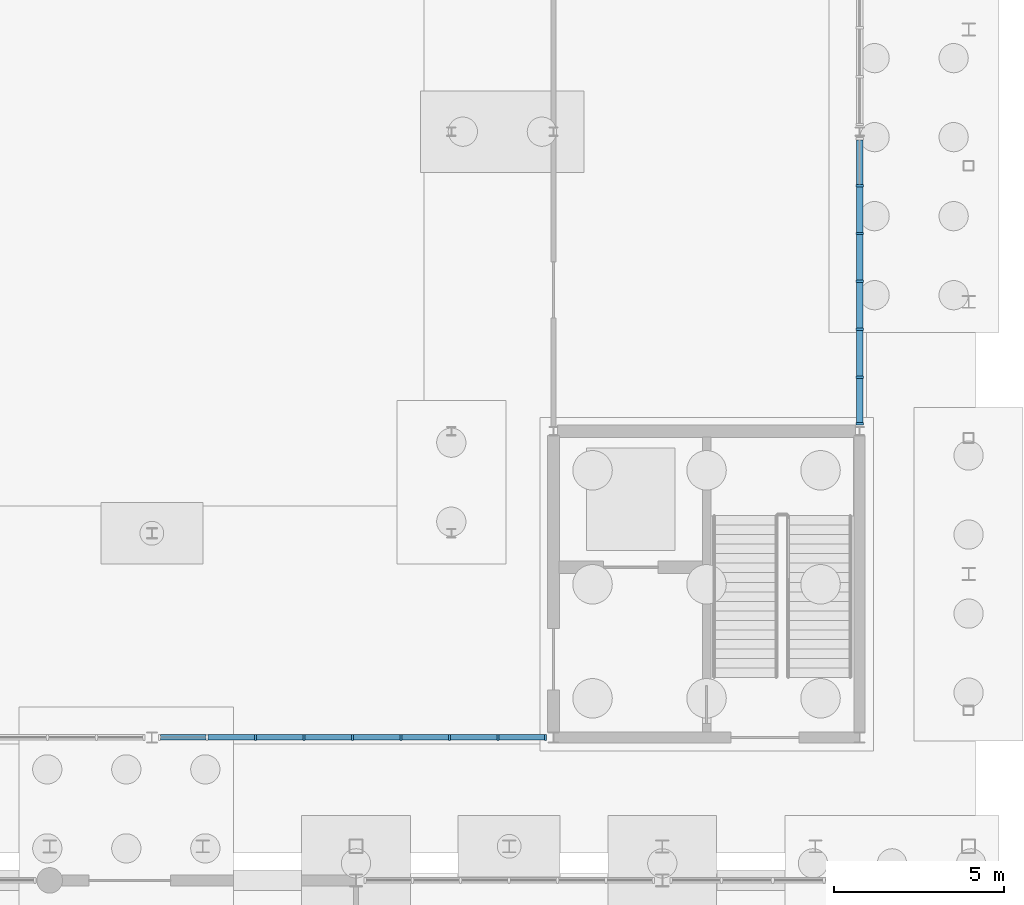
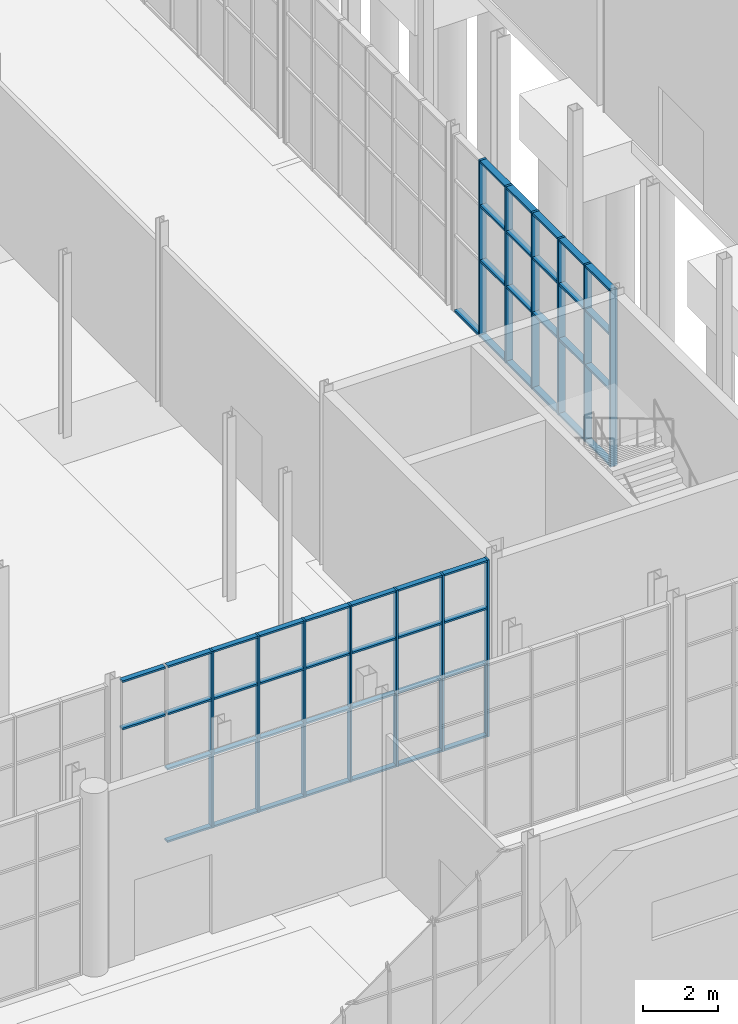
# One storey, part 68 of 131: 64 members, 2 elements without a shape of their own.
"""IFC4 building model written with IfcOpenShell, lengths in metres."""

from ifc_helpers import new_model, si_unit, direction, frame, origin, origin_2d, place, context, subcontext, project, spatial, rectangle, extrude, material, layer, layer_set, material_profile, profile_set, type_object, element, aggregate, save


model = new_model("IFC4")

# Units and contexts
model_context = context("Model", 3, precision=1e-05, world=origin(), true_north=direction((0.0, 1.0)))
body_context = subcontext(model_context, "Body", "Model", "MODEL_VIEW")
ifc_project = project(units=[si_unit("LENGTHUNIT", "METRE"), si_unit("AREAUNIT", "SQUARE_METRE"), si_unit("VOLUMEUNIT", "CUBIC_METRE"), si_unit("PLANEANGLEUNIT", "RADIAN"), si_unit("MASSUNIT", "GRAM", prefix="KILO")], contexts=[model_context])

# Site, building, storey
site_placement = place(None, origin())
site = spatial("IfcSite", under=ifc_project, at=site_placement, CompositionType="ELEMENT")
building_placement = place(site_placement, origin())
building = spatial("IfcBuilding", under=site, at=building_placement, Name="Cazmaro Siding Exhibition Halls", CompositionType="ELEMENT")
storey_placement = place(building_placement, origin())
storey = spatial("IfcBuildingStorey", under=building, at=storey_placement, Name="L00", CompositionType="ELEMENT", Elevation=0.0)

# Curtain wall, members
ifc_material_1 = material(Name="Anodized Bronze Aluminum and Solar-Control Low-E Glazing", Category="aluminium")
ifc_layer_1 = layer(ifc_material_1, 0.179931640625)
ifc_layer_set_1 = layer_set([ifc_layer_1], Name="Anodized Bronze Aluminum and Solar-Control Low-E Glazing")
curtain_wall_type_1 = type_object("IfcCurtainWallType", Name="CWS-01", PredefinedType="USERDEFINED", material=ifc_layer_set_1)
curtain_wall_1_placement = place(storey_placement, origin())
curtain_wall_1 = element("IfcCurtainWall", 1, at=curtain_wall_1_placement, inside=storey, type_object=curtain_wall_type_1, Name="Glazed Curtain Wall CWS-01 CW-043", ObjectType="GLAZED CURTAIN WALL", PredefinedType="USERDEFINED")
ifc_material_2 = material(Name="Anodized Bronze Extruded Aluminum", Category="aluminium")
ifc_material_profile_1 = material_profile(ifc_material_2, rectangle(XDim=0.179931640625, YDim=0.06005859375, at=origin_2d()), Name="CWM-01")
ifc_profile_set_1 = profile_set([ifc_material_profile_1], Name="Anodized Bronze Extruded Aluminum")
member_type_1 = type_object("IfcMemberType", Name="CWM-01", PredefinedType="MULLION", material=ifc_profile_set_1)
member_1_placement = place(storey_placement, frame((150.048583984375, 67.199951171875, 0.0), z_axis=(0.0, 0.0, 1.0), x_axis=(0.0, 1.0, 0.0)))
member_1 = element("IfcMember", 2, at=member_1_placement, type_object=member_type_1, Name="CWS-01 mullion 3", PredefinedType="MULLION", context=body_context, shape_type="SweptSolid", body=[
    extrude(rectangle(XDim=0.179931640625, YDim=0.06005859375, at=origin_2d()), origin(), (0.0, 0.0, 1.0), 5.780029296875),
])
member_2_placement = place(storey_placement, frame((151.474365234375, 67.199951171875, 0.0), z_axis=(0.0, 0.0, 1.0), x_axis=(0.0, 1.0, 0.0)))
member_2 = element("IfcMember", 3, at=member_2_placement, type_object=member_type_1, Name="CWS-01 mullion 4", PredefinedType="MULLION", context=body_context, shape_type="SweptSolid", body=[
    extrude(rectangle(XDim=0.179931640625, YDim=0.06005859375, at=origin_2d()), origin(), (0.0, 0.0, 1.0), 5.780029296875),
])
member_3_placement = place(storey_placement, frame((152.89990234375, 67.199951171875, 0.0), z_axis=(0.0, 0.0, 1.0), x_axis=(0.0, 1.0, 0.0)))
member_3 = element("IfcMember", 4, at=member_3_placement, type_object=member_type_1, Name="CWS-01 mullion 5", PredefinedType="MULLION", context=body_context, shape_type="SweptSolid", body=[
    extrude(rectangle(XDim=0.179931640625, YDim=0.06005859375, at=origin_2d()), origin(), (0.0, 0.0, 1.0), 5.780029296875),
])
member_4_placement = place(storey_placement, frame((154.32568359375, 67.199951171875, 0.0), z_axis=(0.0, 0.0, 1.0), x_axis=(0.0, 1.0, 0.0)))
member_4 = element("IfcMember", 5, at=member_4_placement, type_object=member_type_1, Name="CWS-01 mullion 6", PredefinedType="MULLION", context=body_context, shape_type="SweptSolid", body=[
    extrude(rectangle(XDim=0.179931640625, YDim=0.06005859375, at=origin_2d()), origin(), (0.0, 0.0, 1.0), 5.780029296875),
])
member_5_placement = place(storey_placement, frame((155.75146484375, 67.199951171875, 0.0), z_axis=(0.0, 0.0, 1.0), x_axis=(0.0, 1.0, 0.0)))
member_5 = element("IfcMember", 6, at=member_5_placement, type_object=member_type_1, Name="CWS-01 mullion 7", PredefinedType="MULLION", context=body_context, shape_type="SweptSolid", body=[
    extrude(rectangle(XDim=0.179931640625, YDim=0.06005859375, at=origin_2d()), origin(), (0.0, 0.0, 1.0), 5.780029296875),
])
member_6_placement = place(storey_placement, frame((157.17724609375, 67.199951171875, 0.0), z_axis=(0.0, 0.0, 1.0), x_axis=(0.0, 1.0, 0.0)))
member_6 = element("IfcMember", 7, at=member_6_placement, type_object=member_type_1, Name="CWS-01 mullion 8", PredefinedType="MULLION", context=body_context, shape_type="SweptSolid", body=[
    extrude(rectangle(XDim=0.179931640625, YDim=0.06005859375, at=origin_2d()), origin(), (0.0, 0.0, 1.0), 5.780029296875),
])
member_7_placement = place(storey_placement, frame((158.572998046875, 67.199951171875, 0.0), z_axis=(0.0, 0.0, 1.0), x_axis=(0.0, 1.0, 0.0)))
member_7 = element("IfcMember", 8, at=member_7_placement, type_object=member_type_1, Name="CWS-01 mullion 9", PredefinedType="MULLION", context=body_context, shape_type="SweptSolid", body=[
    extrude(rectangle(XDim=0.179931640625, YDim=0.06005859375, at=origin_2d()), origin(), (0.0, 0.0, 1.0), 5.780029296875),
])

ifc_material_3 = material(Name="Anodized Bronze Aluminum and Solar-Control Low-E Glazing", Category="aluminium")
ifc_layer_2 = layer(ifc_material_3, 0.219970703125)
ifc_layer_set_2 = layer_set([ifc_layer_2], Name="Anodized Bronze Aluminum and Solar-Control Low-E Glazing")
curtain_wall_type_2 = type_object("IfcCurtainWallType", Name="CWS-03", PredefinedType="USERDEFINED", material=ifc_layer_set_2)
curtain_wall_2_placement = place(storey_placement, origin())
curtain_wall_2 = element("IfcCurtainWall", 9, at=curtain_wall_2_placement, inside=storey, type_object=curtain_wall_type_2, Name="Glazed Curtain Wall CWS-03 CW-065", ObjectType="GLAZED CURTAIN WALL", PredefinedType="USERDEFINED")
ifc_material_4 = material(Name="Anodized Bronze Extruded Aluminum", Category="aluminium")
ifc_material_profile_2 = material_profile(ifc_material_4, rectangle(XDim=0.219970703125, YDim=0.070068359375, at=origin_2d()), Name="CWM-03")
ifc_profile_set_2 = profile_set([ifc_material_profile_2], Name="Anodized Bronze Extruded Aluminum")
member_type_2 = type_object("IfcMemberType", Name="CWM-03", PredefinedType="MULLION", material=ifc_profile_set_2)
member_8_placement = place(storey_placement, frame((167.800048828125, 76.412109375, 0.0), z_axis=(0.0, 0.0, 1.0), x_axis=(-1.0, 0.0, 0.0)))
member_8 = element("IfcMember", 10, at=member_8_placement, type_object=member_type_2, Name="CWS-03 mullion 1", PredefinedType="MULLION", context=body_context, shape_type="SweptSolid", body=[
    extrude(rectangle(XDim=0.219970703125, YDim=0.070068359375, at=origin_2d()), origin(), (0.0, 0.0, 1.0), 5.780029296875),
])
member_9_placement = place(storey_placement, frame((167.800048828125, 77.78466796875, 0.0), z_axis=(0.0, 0.0, 1.0), x_axis=(-1.0, 0.0, 0.0)))
member_9 = element("IfcMember", 11, at=member_9_placement, type_object=member_type_2, Name="CWS-03 mullion 2", PredefinedType="MULLION", context=body_context, shape_type="SweptSolid", body=[
    extrude(rectangle(XDim=0.219970703125, YDim=0.070068359375, at=origin_2d()), origin(), (0.0, 0.0, 1.0), 5.780029296875),
])
member_10_placement = place(storey_placement, frame((167.800048828125, 79.1923828125, 0.0), z_axis=(0.0, 0.0, 1.0), x_axis=(-1.0, 0.0, 0.0)))
member_10 = element("IfcMember", 12, at=member_10_placement, type_object=member_type_2, Name="CWS-03 mullion 3", PredefinedType="MULLION", context=body_context, shape_type="SweptSolid", body=[
    extrude(rectangle(XDim=0.219970703125, YDim=0.070068359375, at=origin_2d()), origin(), (0.0, 0.0, 1.0), 5.780029296875),
])
member_11_placement = place(storey_placement, frame((167.800048828125, 80.60009765625, 0.0), z_axis=(0.0, 0.0, 1.0), x_axis=(-1.0, 0.0, 0.0)))
member_11 = element("IfcMember", 13, at=member_11_placement, type_object=member_type_2, Name="CWS-03 mullion 4", PredefinedType="MULLION", context=body_context, shape_type="SweptSolid", body=[
    extrude(rectangle(XDim=0.219970703125, YDim=0.070068359375, at=origin_2d()), origin(), (0.0, 0.0, 1.0), 5.780029296875),
])
member_12_placement = place(storey_placement, frame((167.800048828125, 82.007568359375, 0.0), z_axis=(0.0, 0.0, 1.0), x_axis=(-1.0, 0.0, 0.0)))
member_12 = element("IfcMember", 14, at=member_12_placement, type_object=member_type_2, Name="CWS-03 mullion 5", PredefinedType="MULLION", context=body_context, shape_type="SweptSolid", body=[
    extrude(rectangle(XDim=0.219970703125, YDim=0.070068359375, at=origin_2d()), origin(), (0.0, 0.0, 1.0), 5.780029296875),
])
member_13_placement = place(storey_placement, frame((167.800048828125, 83.415283203125, 0.0), z_axis=(0.0, 0.0, 1.0), x_axis=(-1.0, 0.0, 0.0)))
member_13 = element("IfcMember", 15, at=member_13_placement, type_object=member_type_2, Name="CWS-03 mullion 6", PredefinedType="MULLION", context=body_context, shape_type="SweptSolid", body=[
    extrude(rectangle(XDim=0.219970703125, YDim=0.070068359375, at=origin_2d()), origin(), (0.0, 0.0, 1.0), 5.780029296875),
])

# Member
ifc_material_5 = material(Name="Anodized Bronze Extruded Aluminum", Category="aluminium")
ifc_material_profile_3 = material_profile(ifc_material_5, rectangle(XDim=0.159912109375, YDim=0.06005859375, at=origin_2d()), Name="CWT-01")
ifc_profile_set_3 = profile_set([ifc_material_profile_3], Name="Anodized Bronze Extruded Aluminum")
member_type_3 = type_object("IfcMemberType", Name="CWT-01", PredefinedType="MULLION", material=ifc_profile_set_3)
member_14_placement = place(storey_placement, frame((147.257080078125, 67.199951171875, 4.199951171875), z_axis=(1.0, 0.0, 0.0), x_axis=(0.0, 1.0, 0.0)))
member_14 = element("IfcMember", 16, at=member_14_placement, type_object=member_type_3, Name="CWS-01 transom 1.3", ObjectType="TRANSOM", PredefinedType="USERDEFINED", context=body_context, shape_type="SweptSolid", body=[
    extrude(rectangle(XDim=0.159912109375, YDim=0.06005859375, at=origin_2d()), origin(), (0.0, 0.0, 1.0), 1.335693359375),
])

member_15_placement = place(storey_placement, frame((147.257080078125, 67.199951171875, 5.75), z_axis=(1.0, 0.0, 0.0), x_axis=(0.0, 1.0, 0.0)))
member_15 = element("IfcMember", 17, at=member_15_placement, type_object=member_type_3, Name="CWS-01 transom 1.4", ObjectType="TRANSOM", PredefinedType="USERDEFINED", context=body_context, shape_type="SweptSolid", body=[
    extrude(rectangle(XDim=0.159912109375, YDim=0.06005859375, at=origin_2d()), origin(), (0.0, 0.0, 1.0), 1.335693359375),
])

member_16_placement = place(storey_placement, frame((148.65283203125, 67.199951171875, 0.030029296875), z_axis=(1.0, 0.0, 0.0), x_axis=(0.0, 1.0, 0.0)))
member_16 = element("IfcMember", 18, at=member_16_placement, type_object=member_type_3, Name="CWS-01 transom 2.1", ObjectType="TRANSOM", PredefinedType="USERDEFINED", context=body_context, shape_type="SweptSolid", body=[
    extrude(rectangle(XDim=0.159912109375, YDim=0.06005859375, at=origin_2d()), origin(), (0.0, 0.0, 1.0), 1.36572265625),
])

member_17_placement = place(storey_placement, frame((148.65283203125, 67.199951171875, 2.39990234375), z_axis=(1.0, 0.0, 0.0), x_axis=(0.0, 1.0, 0.0)))
member_17 = element("IfcMember", 19, at=member_17_placement, type_object=member_type_3, Name="CWS-01 transom 2.2", ObjectType="TRANSOM", PredefinedType="USERDEFINED", context=body_context, shape_type="SweptSolid", body=[
    extrude(rectangle(XDim=0.159912109375, YDim=0.06005859375, at=origin_2d()), origin(), (0.0, 0.0, 1.0), 1.36572265625),
])

member_18_placement = place(storey_placement, frame((148.65283203125, 67.199951171875, 4.199951171875), z_axis=(1.0, 0.0, 0.0), x_axis=(0.0, 1.0, 0.0)))
member_18 = element("IfcMember", 20, at=member_18_placement, type_object=member_type_3, Name="CWS-01 transom 2.3", ObjectType="TRANSOM", PredefinedType="USERDEFINED", context=body_context, shape_type="SweptSolid", body=[
    extrude(rectangle(XDim=0.159912109375, YDim=0.06005859375, at=origin_2d()), origin(), (0.0, 0.0, 1.0), 1.36572265625),
])

member_19_placement = place(storey_placement, frame((148.65283203125, 67.199951171875, 5.75), z_axis=(1.0, 0.0, 0.0), x_axis=(0.0, 1.0, 0.0)))
member_19 = element("IfcMember", 21, at=member_19_placement, type_object=member_type_3, Name="CWS-01 transom 2.4", ObjectType="TRANSOM", PredefinedType="USERDEFINED", context=body_context, shape_type="SweptSolid", body=[
    extrude(rectangle(XDim=0.159912109375, YDim=0.06005859375, at=origin_2d()), origin(), (0.0, 0.0, 1.0), 1.36572265625),
])

member_20_placement = place(storey_placement, frame((150.07861328125, 67.199951171875, 0.030029296875), z_axis=(1.0, 0.0, 0.0), x_axis=(0.0, 1.0, 0.0)))
member_20 = element("IfcMember", 22, at=member_20_placement, type_object=member_type_3, Name="CWS-01 transom 3.1", ObjectType="TRANSOM", PredefinedType="USERDEFINED", context=body_context, shape_type="SweptSolid", body=[
    extrude(rectangle(XDim=0.159912109375, YDim=0.06005859375, at=origin_2d()), origin(), (0.0, 0.0, 1.0), 1.36572265625),
])

member_21_placement = place(storey_placement, frame((150.07861328125, 67.199951171875, 2.39990234375), z_axis=(1.0, 0.0, 0.0), x_axis=(0.0, 1.0, 0.0)))
member_21 = element("IfcMember", 23, at=member_21_placement, type_object=member_type_3, Name="CWS-01 transom 3.2", ObjectType="TRANSOM", PredefinedType="USERDEFINED", context=body_context, shape_type="SweptSolid", body=[
    extrude(rectangle(XDim=0.159912109375, YDim=0.06005859375, at=origin_2d()), origin(), (0.0, 0.0, 1.0), 1.36572265625),
])

member_22_placement = place(storey_placement, frame((150.07861328125, 67.199951171875, 4.199951171875), z_axis=(1.0, 0.0, 0.0), x_axis=(0.0, 1.0, 0.0)))
member_22 = element("IfcMember", 24, at=member_22_placement, type_object=member_type_3, Name="CWS-01 transom 3.3", ObjectType="TRANSOM", PredefinedType="USERDEFINED", context=body_context, shape_type="SweptSolid", body=[
    extrude(rectangle(XDim=0.159912109375, YDim=0.06005859375, at=origin_2d()), origin(), (0.0, 0.0, 1.0), 1.36572265625),
])

member_23_placement = place(storey_placement, frame((150.07861328125, 67.199951171875, 5.75), z_axis=(1.0, 0.0, 0.0), x_axis=(0.0, 1.0, 0.0)))
member_23 = element("IfcMember", 25, at=member_23_placement, type_object=member_type_3, Name="CWS-01 transom 3.4", ObjectType="TRANSOM", PredefinedType="USERDEFINED", context=body_context, shape_type="SweptSolid", body=[
    extrude(rectangle(XDim=0.159912109375, YDim=0.06005859375, at=origin_2d()), origin(), (0.0, 0.0, 1.0), 1.36572265625),
])

member_24_placement = place(storey_placement, frame((151.504150390625, 67.199951171875, 0.030029296875), z_axis=(1.0, 0.0, 0.0), x_axis=(0.0, 1.0, 0.0)))
member_24 = element("IfcMember", 26, at=member_24_placement, type_object=member_type_3, Name="CWS-01 transom 4.1", ObjectType="TRANSOM", PredefinedType="USERDEFINED", context=body_context, shape_type="SweptSolid", body=[
    extrude(rectangle(XDim=0.159912109375, YDim=0.06005859375, at=origin_2d()), origin(), (0.0, 0.0, 1.0), 1.365966796875),
])

member_25_placement = place(storey_placement, frame((151.504150390625, 67.199951171875, 2.39990234375), z_axis=(1.0, 0.0, 0.0), x_axis=(0.0, 1.0, 0.0)))
member_25 = element("IfcMember", 27, at=member_25_placement, type_object=member_type_3, Name="CWS-01 transom 4.2", ObjectType="TRANSOM", PredefinedType="USERDEFINED", context=body_context, shape_type="SweptSolid", body=[
    extrude(rectangle(XDim=0.159912109375, YDim=0.06005859375, at=origin_2d()), origin(), (0.0, 0.0, 1.0), 1.365966796875),
])

member_26_placement = place(storey_placement, frame((151.504150390625, 67.199951171875, 4.199951171875), z_axis=(1.0, 0.0, 0.0), x_axis=(0.0, 1.0, 0.0)))
member_26 = element("IfcMember", 28, at=member_26_placement, type_object=member_type_3, Name="CWS-01 transom 4.3", ObjectType="TRANSOM", PredefinedType="USERDEFINED", context=body_context, shape_type="SweptSolid", body=[
    extrude(rectangle(XDim=0.159912109375, YDim=0.06005859375, at=origin_2d()), origin(), (0.0, 0.0, 1.0), 1.365966796875),
])

member_27_placement = place(storey_placement, frame((151.504150390625, 67.199951171875, 5.75), z_axis=(1.0, 0.0, 0.0), x_axis=(0.0, 1.0, 0.0)))
member_27 = element("IfcMember", 29, at=member_27_placement, type_object=member_type_3, Name="CWS-01 transom 4.4", ObjectType="TRANSOM", PredefinedType="USERDEFINED", context=body_context, shape_type="SweptSolid", body=[
    extrude(rectangle(XDim=0.159912109375, YDim=0.06005859375, at=origin_2d()), origin(), (0.0, 0.0, 1.0), 1.365966796875),
])

member_28_placement = place(storey_placement, frame((152.929931640625, 67.199951171875, 0.030029296875), z_axis=(1.0, 0.0, 0.0), x_axis=(0.0, 1.0, 0.0)))
member_28 = element("IfcMember", 30, at=member_28_placement, type_object=member_type_3, Name="CWS-01 transom 5.1", ObjectType="TRANSOM", PredefinedType="USERDEFINED", context=body_context, shape_type="SweptSolid", body=[
    extrude(rectangle(XDim=0.159912109375, YDim=0.06005859375, at=origin_2d()), origin(), (0.0, 0.0, 1.0), 1.36572265625),
])

member_29_placement = place(storey_placement, frame((152.929931640625, 67.199951171875, 2.39990234375), z_axis=(1.0, 0.0, 0.0), x_axis=(0.0, 1.0, 0.0)))
member_29 = element("IfcMember", 31, at=member_29_placement, type_object=member_type_3, Name="CWS-01 transom 5.2", ObjectType="TRANSOM", PredefinedType="USERDEFINED", context=body_context, shape_type="SweptSolid", body=[
    extrude(rectangle(XDim=0.159912109375, YDim=0.06005859375, at=origin_2d()), origin(), (0.0, 0.0, 1.0), 1.36572265625),
])

member_30_placement = place(storey_placement, frame((152.929931640625, 67.199951171875, 4.199951171875), z_axis=(1.0, 0.0, 0.0), x_axis=(0.0, 1.0, 0.0)))
member_30 = element("IfcMember", 32, at=member_30_placement, type_object=member_type_3, Name="CWS-01 transom 5.3", ObjectType="TRANSOM", PredefinedType="USERDEFINED", context=body_context, shape_type="SweptSolid", body=[
    extrude(rectangle(XDim=0.159912109375, YDim=0.06005859375, at=origin_2d()), origin(), (0.0, 0.0, 1.0), 1.36572265625),
])

member_31_placement = place(storey_placement, frame((152.929931640625, 67.199951171875, 5.75), z_axis=(1.0, 0.0, 0.0), x_axis=(0.0, 1.0, 0.0)))
member_31 = element("IfcMember", 33, at=member_31_placement, type_object=member_type_3, Name="CWS-01 transom 5.4", ObjectType="TRANSOM", PredefinedType="USERDEFINED", context=body_context, shape_type="SweptSolid", body=[
    extrude(rectangle(XDim=0.159912109375, YDim=0.06005859375, at=origin_2d()), origin(), (0.0, 0.0, 1.0), 1.36572265625),
])

member_32_placement = place(storey_placement, frame((154.355712890625, 67.199951171875, 0.030029296875), z_axis=(1.0, 0.0, 0.0), x_axis=(0.0, 1.0, 0.0)))
member_32 = element("IfcMember", 34, at=member_32_placement, type_object=member_type_3, Name="CWS-01 transom 6.1", ObjectType="TRANSOM", PredefinedType="USERDEFINED", context=body_context, shape_type="SweptSolid", body=[
    extrude(rectangle(XDim=0.159912109375, YDim=0.06005859375, at=origin_2d()), origin(), (0.0, 0.0, 1.0), 1.36572265625),
])

member_33_placement = place(storey_placement, frame((154.355712890625, 67.199951171875, 2.39990234375), z_axis=(1.0, 0.0, 0.0), x_axis=(0.0, 1.0, 0.0)))
member_33 = element("IfcMember", 35, at=member_33_placement, type_object=member_type_3, Name="CWS-01 transom 6.2", ObjectType="TRANSOM", PredefinedType="USERDEFINED", context=body_context, shape_type="SweptSolid", body=[
    extrude(rectangle(XDim=0.159912109375, YDim=0.06005859375, at=origin_2d()), origin(), (0.0, 0.0, 1.0), 1.36572265625),
])

member_34_placement = place(storey_placement, frame((154.355712890625, 67.199951171875, 4.199951171875), z_axis=(1.0, 0.0, 0.0), x_axis=(0.0, 1.0, 0.0)))
member_34 = element("IfcMember", 36, at=member_34_placement, type_object=member_type_3, Name="CWS-01 transom 6.3", ObjectType="TRANSOM", PredefinedType="USERDEFINED", context=body_context, shape_type="SweptSolid", body=[
    extrude(rectangle(XDim=0.159912109375, YDim=0.06005859375, at=origin_2d()), origin(), (0.0, 0.0, 1.0), 1.36572265625),
])

member_35_placement = place(storey_placement, frame((154.355712890625, 67.199951171875, 5.75), z_axis=(1.0, 0.0, 0.0), x_axis=(0.0, 1.0, 0.0)))
member_35 = element("IfcMember", 37, at=member_35_placement, type_object=member_type_3, Name="CWS-01 transom 6.4", ObjectType="TRANSOM", PredefinedType="USERDEFINED", context=body_context, shape_type="SweptSolid", body=[
    extrude(rectangle(XDim=0.159912109375, YDim=0.06005859375, at=origin_2d()), origin(), (0.0, 0.0, 1.0), 1.36572265625),
])

member_36_placement = place(storey_placement, frame((155.781494140625, 67.199951171875, 0.030029296875), z_axis=(1.0, 0.0, 0.0), x_axis=(0.0, 1.0, 0.0)))
member_36 = element("IfcMember", 38, at=member_36_placement, type_object=member_type_3, Name="CWS-01 transom 7.1", ObjectType="TRANSOM", PredefinedType="USERDEFINED", context=body_context, shape_type="SweptSolid", body=[
    extrude(rectangle(XDim=0.159912109375, YDim=0.06005859375, at=origin_2d()), origin(), (0.0, 0.0, 1.0), 1.36572265625),
])

member_37_placement = place(storey_placement, frame((155.781494140625, 67.199951171875, 2.39990234375), z_axis=(1.0, 0.0, 0.0), x_axis=(0.0, 1.0, 0.0)))
member_37 = element("IfcMember", 39, at=member_37_placement, type_object=member_type_3, Name="CWS-01 transom 7.2", ObjectType="TRANSOM", PredefinedType="USERDEFINED", context=body_context, shape_type="SweptSolid", body=[
    extrude(rectangle(XDim=0.159912109375, YDim=0.06005859375, at=origin_2d()), origin(), (0.0, 0.0, 1.0), 1.36572265625),
])

member_38_placement = place(storey_placement, frame((155.781494140625, 67.199951171875, 4.199951171875), z_axis=(1.0, 0.0, 0.0), x_axis=(0.0, 1.0, 0.0)))
member_38 = element("IfcMember", 40, at=member_38_placement, type_object=member_type_3, Name="CWS-01 transom 7.3", ObjectType="TRANSOM", PredefinedType="USERDEFINED", context=body_context, shape_type="SweptSolid", body=[
    extrude(rectangle(XDim=0.159912109375, YDim=0.06005859375, at=origin_2d()), origin(), (0.0, 0.0, 1.0), 1.36572265625),
])

member_39_placement = place(storey_placement, frame((155.781494140625, 67.199951171875, 5.75), z_axis=(1.0, 0.0, 0.0), x_axis=(0.0, 1.0, 0.0)))
member_39 = element("IfcMember", 41, at=member_39_placement, type_object=member_type_3, Name="CWS-01 transom 7.4", ObjectType="TRANSOM", PredefinedType="USERDEFINED", context=body_context, shape_type="SweptSolid", body=[
    extrude(rectangle(XDim=0.159912109375, YDim=0.06005859375, at=origin_2d()), origin(), (0.0, 0.0, 1.0), 1.36572265625),
])

member_40_placement = place(storey_placement, frame((157.207275390625, 67.199951171875, 0.030029296875), z_axis=(1.0, 0.0, 0.0), x_axis=(0.0, 1.0, 0.0)))
member_40 = element("IfcMember", 42, at=member_40_placement, type_object=member_type_3, Name="CWS-01 transom 8.1", ObjectType="TRANSOM", PredefinedType="USERDEFINED", context=body_context, shape_type="SweptSolid", body=[
    extrude(rectangle(XDim=0.159912109375, YDim=0.06005859375, at=origin_2d()), origin(), (0.0, 0.0, 1.0), 1.335693359375),
])

member_41_placement = place(storey_placement, frame((157.207275390625, 67.199951171875, 2.39990234375), z_axis=(1.0, 0.0, 0.0), x_axis=(0.0, 1.0, 0.0)))
member_41 = element("IfcMember", 43, at=member_41_placement, type_object=member_type_3, Name="CWS-01 transom 8.2", ObjectType="TRANSOM", PredefinedType="USERDEFINED", context=body_context, shape_type="SweptSolid", body=[
    extrude(rectangle(XDim=0.159912109375, YDim=0.06005859375, at=origin_2d()), origin(), (0.0, 0.0, 1.0), 1.335693359375),
])

member_42_placement = place(storey_placement, frame((157.207275390625, 67.199951171875, 4.199951171875), z_axis=(1.0, 0.0, 0.0), x_axis=(0.0, 1.0, 0.0)))
member_42 = element("IfcMember", 44, at=member_42_placement, type_object=member_type_3, Name="CWS-01 transom 8.3", ObjectType="TRANSOM", PredefinedType="USERDEFINED", context=body_context, shape_type="SweptSolid", body=[
    extrude(rectangle(XDim=0.159912109375, YDim=0.06005859375, at=origin_2d()), origin(), (0.0, 0.0, 1.0), 1.335693359375),
])

member_43_placement = place(storey_placement, frame((157.207275390625, 67.199951171875, 5.75), z_axis=(1.0, 0.0, 0.0), x_axis=(0.0, 1.0, 0.0)))
member_43 = element("IfcMember", 45, at=member_43_placement, type_object=member_type_3, Name="CWS-01 transom 8.4", ObjectType="TRANSOM", PredefinedType="USERDEFINED", context=body_context, shape_type="SweptSolid", body=[
    extrude(rectangle(XDim=0.159912109375, YDim=0.06005859375, at=origin_2d()), origin(), (0.0, 0.0, 1.0), 1.335693359375),
])

aggregate(curtain_wall_1, [member_1, member_2, member_3, member_4, member_5, member_6, member_7, member_14, member_15, member_16, member_17, member_18, member_19, member_20, member_21, member_22, member_23, member_24, member_25, member_26, member_27, member_28, member_29, member_30, member_31, member_32, member_33, member_34, member_35, member_36, member_37, member_38, member_39, member_40, member_41, member_42, member_43])

ifc_material_6 = material(Name="Anodized Bronze Extruded Aluminum", Category="aluminium")
ifc_material_profile_4 = material_profile(ifc_material_6, rectangle(XDim=0.199951171875, YDim=0.070068359375, at=origin_2d()), Name="CWT-03")
ifc_profile_set_4 = profile_set([ifc_material_profile_4], Name="Anodized Bronze Extruded Aluminum")
member_type_4 = type_object("IfcMemberType", Name="CWT-03", PredefinedType="MULLION", material=ifc_profile_set_4)
member_44_placement = place(storey_placement, frame((167.800048828125, 76.447021484375, 0.034912109375), z_axis=(0.0, 1.0, 0.0), x_axis=(-1.0, 0.0, 0.0)))
member_44 = element("IfcMember", 46, at=member_44_placement, type_object=member_type_4, Name="CWS-03 transom 1.1", ObjectType="TRANSOM", PredefinedType="USERDEFINED", context=body_context, shape_type="SweptSolid", body=[
    extrude(rectangle(XDim=0.199951171875, YDim=0.070068359375, at=origin_2d()), origin(), (0.0, 0.0, 1.0), 1.302734375),
])

member_45_placement = place(storey_placement, frame((167.800048828125, 76.447021484375, 2.5), z_axis=(0.0, 1.0, 0.0), x_axis=(-1.0, 0.0, 0.0)))
member_45 = element("IfcMember", 47, at=member_45_placement, type_object=member_type_4, Name="CWS-03 transom 1.2", ObjectType="TRANSOM", PredefinedType="USERDEFINED", context=body_context, shape_type="SweptSolid", body=[
    extrude(rectangle(XDim=0.199951171875, YDim=0.070068359375, at=origin_2d()), origin(), (0.0, 0.0, 1.0), 1.302734375),
])

member_46_placement = place(storey_placement, frame((167.800048828125, 76.447021484375, 4.300048828125), z_axis=(0.0, 1.0, 0.0), x_axis=(-1.0, 0.0, 0.0)))
member_46 = element("IfcMember", 48, at=member_46_placement, type_object=member_type_4, Name="CWS-03 transom 1.3", ObjectType="TRANSOM", PredefinedType="USERDEFINED", context=body_context, shape_type="SweptSolid", body=[
    extrude(rectangle(XDim=0.199951171875, YDim=0.070068359375, at=origin_2d()), origin(), (0.0, 0.0, 1.0), 1.302734375),
])

member_47_placement = place(storey_placement, frame((167.800048828125, 76.447021484375, 5.7451171875), z_axis=(0.0, 1.0, 0.0), x_axis=(-1.0, 0.0, 0.0)))
member_47 = element("IfcMember", 49, at=member_47_placement, type_object=member_type_4, Name="CWS-03 transom 1.4", ObjectType="TRANSOM", PredefinedType="USERDEFINED", context=body_context, shape_type="SweptSolid", body=[
    extrude(rectangle(XDim=0.199951171875, YDim=0.070068359375, at=origin_2d()), origin(), (0.0, 0.0, 1.0), 1.302734375),
])

member_48_placement = place(storey_placement, frame((167.800048828125, 77.819580078125, 0.034912109375), z_axis=(0.0, 1.0, 0.0), x_axis=(-1.0, 0.0, 0.0)))
member_48 = element("IfcMember", 50, at=member_48_placement, type_object=member_type_4, Name="CWS-03 transom 2.1", ObjectType="TRANSOM", PredefinedType="USERDEFINED", context=body_context, shape_type="SweptSolid", body=[
    extrude(rectangle(XDim=0.199951171875, YDim=0.070068359375, at=origin_2d()), origin(), (0.0, 0.0, 1.0), 1.337646484375),
])

member_49_placement = place(storey_placement, frame((167.800048828125, 77.819580078125, 2.5), z_axis=(0.0, 1.0, 0.0), x_axis=(-1.0, 0.0, 0.0)))
member_49 = element("IfcMember", 51, at=member_49_placement, type_object=member_type_4, Name="CWS-03 transom 2.2", ObjectType="TRANSOM", PredefinedType="USERDEFINED", context=body_context, shape_type="SweptSolid", body=[
    extrude(rectangle(XDim=0.199951171875, YDim=0.070068359375, at=origin_2d()), origin(), (0.0, 0.0, 1.0), 1.337646484375),
])

member_50_placement = place(storey_placement, frame((167.800048828125, 77.819580078125, 4.300048828125), z_axis=(0.0, 1.0, 0.0), x_axis=(-1.0, 0.0, 0.0)))
member_50 = element("IfcMember", 52, at=member_50_placement, type_object=member_type_4, Name="CWS-03 transom 2.3", ObjectType="TRANSOM", PredefinedType="USERDEFINED", context=body_context, shape_type="SweptSolid", body=[
    extrude(rectangle(XDim=0.199951171875, YDim=0.070068359375, at=origin_2d()), origin(), (0.0, 0.0, 1.0), 1.337646484375),
])

member_51_placement = place(storey_placement, frame((167.800048828125, 77.819580078125, 5.7451171875), z_axis=(0.0, 1.0, 0.0), x_axis=(-1.0, 0.0, 0.0)))
member_51 = element("IfcMember", 53, at=member_51_placement, type_object=member_type_4, Name="CWS-03 transom 2.4", ObjectType="TRANSOM", PredefinedType="USERDEFINED", context=body_context, shape_type="SweptSolid", body=[
    extrude(rectangle(XDim=0.199951171875, YDim=0.070068359375, at=origin_2d()), origin(), (0.0, 0.0, 1.0), 1.337646484375),
])

member_52_placement = place(storey_placement, frame((167.800048828125, 79.227294921875, 0.034912109375), z_axis=(0.0, 1.0, 0.0), x_axis=(-1.0, 0.0, 0.0)))
member_52 = element("IfcMember", 54, at=member_52_placement, type_object=member_type_4, Name="CWS-03 transom 3.1", ObjectType="TRANSOM", PredefinedType="USERDEFINED", context=body_context, shape_type="SweptSolid", body=[
    extrude(rectangle(XDim=0.199951171875, YDim=0.070068359375, at=origin_2d()), origin(), (0.0, 0.0, 1.0), 1.337646484375),
])

member_53_placement = place(storey_placement, frame((167.800048828125, 79.227294921875, 2.5), z_axis=(0.0, 1.0, 0.0), x_axis=(-1.0, 0.0, 0.0)))
member_53 = element("IfcMember", 55, at=member_53_placement, type_object=member_type_4, Name="CWS-03 transom 3.2", ObjectType="TRANSOM", PredefinedType="USERDEFINED", context=body_context, shape_type="SweptSolid", body=[
    extrude(rectangle(XDim=0.199951171875, YDim=0.070068359375, at=origin_2d()), origin(), (0.0, 0.0, 1.0), 1.337646484375),
])

member_54_placement = place(storey_placement, frame((167.800048828125, 79.227294921875, 4.300048828125), z_axis=(0.0, 1.0, 0.0), x_axis=(-1.0, 0.0, 0.0)))
member_54 = element("IfcMember", 56, at=member_54_placement, type_object=member_type_4, Name="CWS-03 transom 3.3", ObjectType="TRANSOM", PredefinedType="USERDEFINED", context=body_context, shape_type="SweptSolid", body=[
    extrude(rectangle(XDim=0.199951171875, YDim=0.070068359375, at=origin_2d()), origin(), (0.0, 0.0, 1.0), 1.337646484375),
])

member_55_placement = place(storey_placement, frame((167.800048828125, 79.227294921875, 5.7451171875), z_axis=(0.0, 1.0, 0.0), x_axis=(-1.0, 0.0, 0.0)))
member_55 = element("IfcMember", 57, at=member_55_placement, type_object=member_type_4, Name="CWS-03 transom 3.4", ObjectType="TRANSOM", PredefinedType="USERDEFINED", context=body_context, shape_type="SweptSolid", body=[
    extrude(rectangle(XDim=0.199951171875, YDim=0.070068359375, at=origin_2d()), origin(), (0.0, 0.0, 1.0), 1.337646484375),
])

member_56_placement = place(storey_placement, frame((167.800048828125, 80.635009765625, 0.034912109375), z_axis=(0.0, 1.0, 0.0), x_axis=(-1.0, 0.0, 0.0)))
member_56 = element("IfcMember", 58, at=member_56_placement, type_object=member_type_4, Name="CWS-03 transom 4.1", ObjectType="TRANSOM", PredefinedType="USERDEFINED", context=body_context, shape_type="SweptSolid", body=[
    extrude(rectangle(XDim=0.199951171875, YDim=0.070068359375, at=origin_2d()), origin(), (0.0, 0.0, 1.0), 1.337646484375),
])

member_57_placement = place(storey_placement, frame((167.800048828125, 80.635009765625, 2.5), z_axis=(0.0, 1.0, 0.0), x_axis=(-1.0, 0.0, 0.0)))
member_57 = element("IfcMember", 59, at=member_57_placement, type_object=member_type_4, Name="CWS-03 transom 4.2", ObjectType="TRANSOM", PredefinedType="USERDEFINED", context=body_context, shape_type="SweptSolid", body=[
    extrude(rectangle(XDim=0.199951171875, YDim=0.070068359375, at=origin_2d()), origin(), (0.0, 0.0, 1.0), 1.337646484375),
])

member_58_placement = place(storey_placement, frame((167.800048828125, 80.635009765625, 4.300048828125), z_axis=(0.0, 1.0, 0.0), x_axis=(-1.0, 0.0, 0.0)))
member_58 = element("IfcMember", 60, at=member_58_placement, type_object=member_type_4, Name="CWS-03 transom 4.3", ObjectType="TRANSOM", PredefinedType="USERDEFINED", context=body_context, shape_type="SweptSolid", body=[
    extrude(rectangle(XDim=0.199951171875, YDim=0.070068359375, at=origin_2d()), origin(), (0.0, 0.0, 1.0), 1.337646484375),
])

member_59_placement = place(storey_placement, frame((167.800048828125, 80.635009765625, 5.7451171875), z_axis=(0.0, 1.0, 0.0), x_axis=(-1.0, 0.0, 0.0)))
member_59 = element("IfcMember", 61, at=member_59_placement, type_object=member_type_4, Name="CWS-03 transom 4.4", ObjectType="TRANSOM", PredefinedType="USERDEFINED", context=body_context, shape_type="SweptSolid", body=[
    extrude(rectangle(XDim=0.199951171875, YDim=0.070068359375, at=origin_2d()), origin(), (0.0, 0.0, 1.0), 1.337646484375),
])

member_60_placement = place(storey_placement, frame((167.800048828125, 82.042724609375, 0.034912109375), z_axis=(0.0, 1.0, 0.0), x_axis=(-1.0, 0.0, 0.0)))
member_60 = element("IfcMember", 62, at=member_60_placement, type_object=member_type_4, Name="CWS-03 transom 5.1", ObjectType="TRANSOM", PredefinedType="USERDEFINED", context=body_context, shape_type="SweptSolid", body=[
    extrude(rectangle(XDim=0.199951171875, YDim=0.070068359375, at=origin_2d()), origin(), (0.0, 0.0, 1.0), 1.337646484375),
])

member_61_placement = place(storey_placement, frame((167.800048828125, 82.042724609375, 2.5), z_axis=(0.0, 1.0, 0.0), x_axis=(-1.0, 0.0, 0.0)))
member_61 = element("IfcMember", 63, at=member_61_placement, type_object=member_type_4, Name="CWS-03 transom 5.2", ObjectType="TRANSOM", PredefinedType="USERDEFINED", context=body_context, shape_type="SweptSolid", body=[
    extrude(rectangle(XDim=0.199951171875, YDim=0.070068359375, at=origin_2d()), origin(), (0.0, 0.0, 1.0), 1.337646484375),
])

member_62_placement = place(storey_placement, frame((167.800048828125, 82.042724609375, 4.300048828125), z_axis=(0.0, 1.0, 0.0), x_axis=(-1.0, 0.0, 0.0)))
member_62 = element("IfcMember", 64, at=member_62_placement, type_object=member_type_4, Name="CWS-03 transom 5.3", ObjectType="TRANSOM", PredefinedType="USERDEFINED", context=body_context, shape_type="SweptSolid", body=[
    extrude(rectangle(XDim=0.199951171875, YDim=0.070068359375, at=origin_2d()), origin(), (0.0, 0.0, 1.0), 1.337646484375),
])

member_63_placement = place(storey_placement, frame((167.800048828125, 82.042724609375, 5.7451171875), z_axis=(0.0, 1.0, 0.0), x_axis=(-1.0, 0.0, 0.0)))
member_63 = element("IfcMember", 65, at=member_63_placement, type_object=member_type_4, Name="CWS-03 transom 5.4", ObjectType="TRANSOM", PredefinedType="USERDEFINED", context=body_context, shape_type="SweptSolid", body=[
    extrude(rectangle(XDim=0.199951171875, YDim=0.070068359375, at=origin_2d()), origin(), (0.0, 0.0, 1.0), 1.337646484375),
])

member_64_placement = place(storey_placement, frame((167.800048828125, 83.450439453125, 0.034912109375), z_axis=(0.0, 1.0, 0.0), x_axis=(-1.0, 0.0, 0.0)))
member_64 = element("IfcMember", 66, at=member_64_placement, type_object=member_type_4, Name="CWS-03 transom 6.1", ObjectType="TRANSOM", PredefinedType="USERDEFINED", context=body_context, shape_type="SweptSolid", body=[
    extrude(rectangle(XDim=0.199951171875, YDim=0.070068359375, at=origin_2d()), origin(), (0.0, 0.0, 1.0), 1.302490234375),
])

aggregate(curtain_wall_2, [member_8, member_9, member_10, member_11, member_12, member_13, member_44, member_45, member_46, member_47, member_48, member_49, member_50, member_51, member_52, member_53, member_54, member_55, member_56, member_57, member_58, member_59, member_60, member_61, member_62, member_63, member_64])

save(model, "model.ifc")
